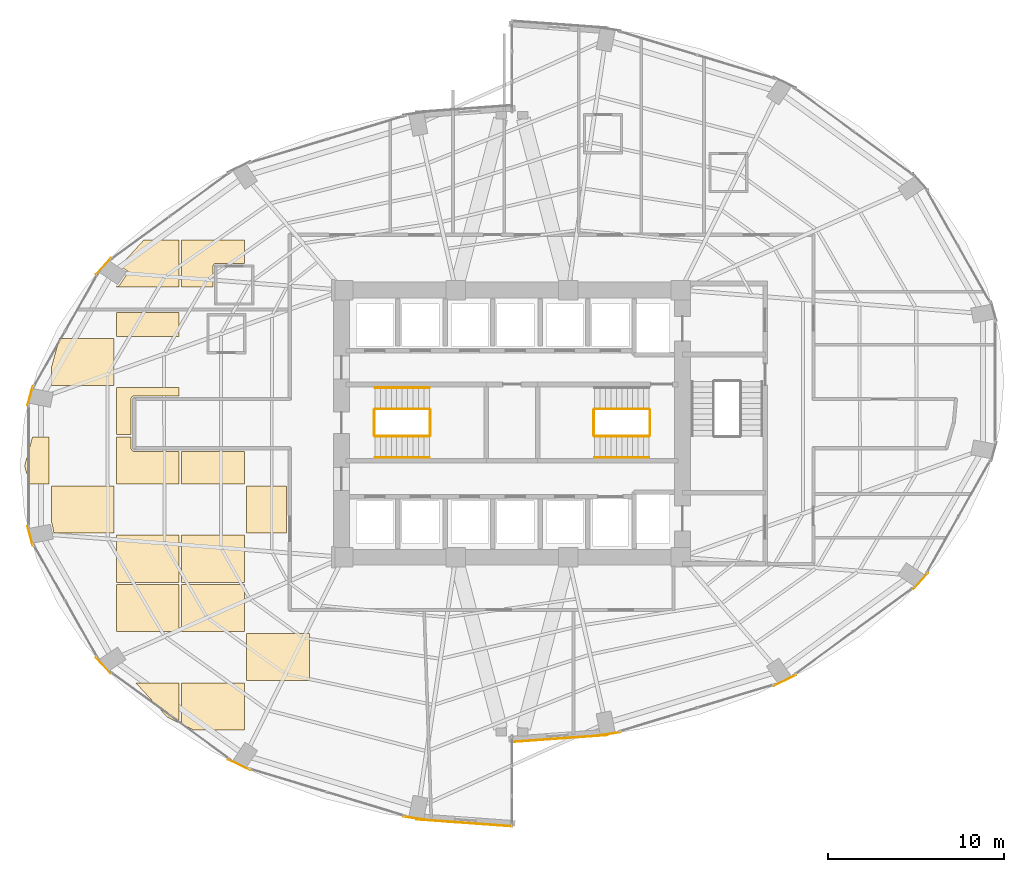
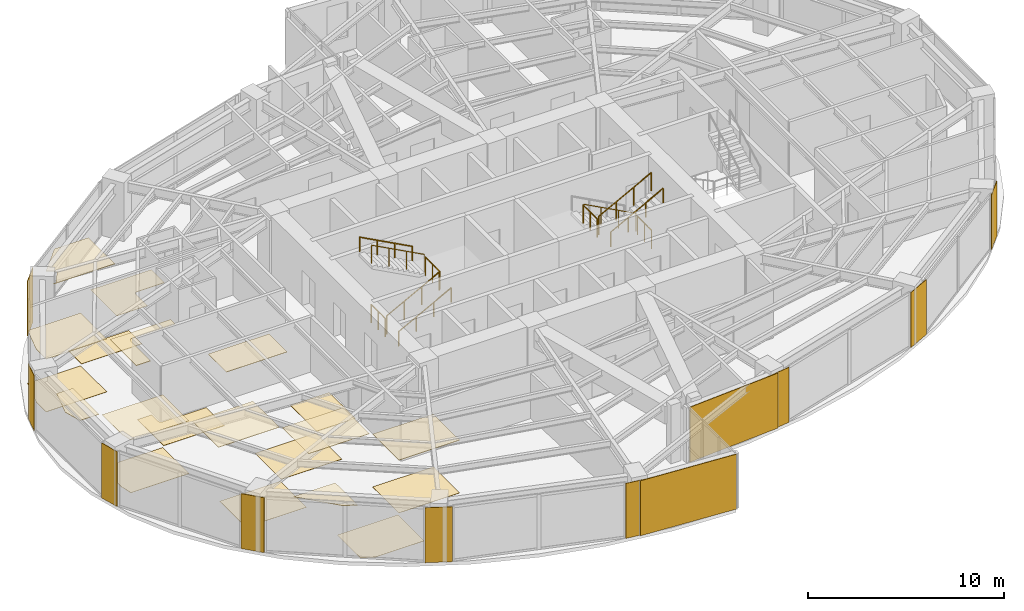
# One storey, part 24 of 25: 31 coverings, 11 railings.
"""IFC4 building model written with IfcOpenShell, lengths in metres."""

from ifc_helpers import new_model, si_unit, direction, frame, origin, origin_2d, place, context, subcontext, project, spatial, polyline, rectangle, circle, outline, extrude, material, layer, layer_set, type_object, element, save


model = new_model("IFC4")

# Units and contexts
model_context = context("Model", 3, precision=1e-05, world=origin(), true_north=direction((0.0, 1.0)))
body_context = subcontext(model_context, "Body", "Model", "MODEL_VIEW")
ifc_project = project(units=[si_unit("LENGTHUNIT", "METRE"), si_unit("AREAUNIT", "SQUARE_METRE"), si_unit("VOLUMEUNIT", "CUBIC_METRE"), si_unit("PLANEANGLEUNIT", "RADIAN"), si_unit("MASSUNIT", "GRAM", prefix="KILO")], contexts=[model_context])

# Site, building, storey
site_placement = place(None, origin())
site = spatial("IfcSite", under=ifc_project, at=site_placement, CompositionType="ELEMENT")
building_placement = place(site_placement, origin())
building = spatial("IfcBuilding", under=site, at=building_placement, Name="Lazwardi Medical Tower", CompositionType="ELEMENT")
storey_placement = place(building_placement, frame((0.0, 0.0, 50.736083984375)))
storey = spatial("IfcBuildingStorey", under=building, at=storey_placement, Name="L12", CompositionType="ELEMENT", Elevation=50.736083984375)

# Coverings
ifc_material_1 = material(Name="Anodised bronze aluminium cassette cladding", Category="aluminium")
ifc_layer_1 = layer(ifc_material_1, 0.030029296875)
ifc_layer_set_1 = layer_set([ifc_layer_1], Name="Anodised bronze aluminium cassette cladding")
covering_type_1 = type_object("IfcCoveringType", Name="COV-CLD-BRZ", PredefinedType="CLADDING", material=ifc_layer_set_1)
covering_1_placement = place(storey_placement, frame((41.454345703125, 10.33251953125, 0.0), z_axis=(0.0, 0.0, 1.0), x_axis=(0.98957259946, 0.144034962415, 0.0)))
element("IfcCovering", 1, at=covering_1_placement, inside=storey, type_object=covering_type_1, Name="L12 Mega-column bronze cassette cover M01", PredefinedType="CLADDING", context=body_context, shape_type="SweptSolid", body=[
    extrude(rectangle(XDim=1.49951171875, YDim=0.030029296875, at=origin_2d()), origin(), (0.0, 0.0, 1.0), 3.427978515625),
])
covering_2_placement = place(storey_placement, frame((51.532470703125, 13.3876953125, 0.0), z_axis=(0.0, 0.0, 1.0), x_axis=(0.898334492373, 0.439312121178, 0.0)))
element("IfcCovering", 2, at=covering_2_placement, inside=storey, type_object=covering_type_1, Name="L12 Mega-column bronze cassette cover M02", PredefinedType="CLADDING", context=body_context, shape_type="SweptSolid", body=[
    extrude(rectangle(XDim=1.400390625, YDim=0.030029296875, at=origin_2d()), origin(), (0.0, 0.0, 1.0), 3.427978515625),
])
for number, where, z_axis, x_axis, name in (
    (3, (59.24609375, 19.03271484375, 0.0), (0.0, 0.0, 1.0), (0.674252120961, 0.738501237223, 0.0), "L12 Mega-column bronze cassette cover M03"),
    (4, (12.75390625, 36.96728515625, 0.0), (0.0, 0.0, 1.0), (-0.674252120961, -0.738501237223, 0.0), "L12 Mega-column bronze cassette cover M11"),
):
    element("IfcCovering", number, at=place(storey_placement, frame(where, z_axis=z_axis, x_axis=x_axis)), inside=storey, type_object=covering_type_1, Name=name, PredefinedType="CLADDING", context=body_context, shape_type="SweptSolid", body=[
        extrude(rectangle(XDim=1.24658203125, YDim=0.030029296875, at=origin_2d()), origin(), (0.0, 0.0, 1.0), 3.427978515625),
    ])
for number, where, z_axis, x_axis, name in (
    (5, (8.579345703125, 29.591796875, 0.0), (0.0, 0.0, 1.0), (-0.262283496593, -0.964990863902, 0.0), "L12 Mega-column bronze cassette cover M12"),
    (6, (8.579345703125, 21.6083984375, 0.0), (0.0, 0.0, 1.0), (0.262283496593, -0.964990863902, 0.0), "L12 Mega-column bronze cassette cover M13"),
):
    element("IfcCovering", number, at=place(storey_placement, frame(where, z_axis=z_axis, x_axis=x_axis)), inside=storey, type_object=covering_type_1, Name=name, PredefinedType="CLADDING", context=body_context, shape_type="SweptSolid", body=[
        extrude(rectangle(XDim=1.12548828125, YDim=0.030029296875, at=origin_2d()), origin(), (0.0, 0.0, 1.0), 3.427978515625),
    ])
covering_3_placement = place(storey_placement, frame((12.75390625, 14.232666015625, 0.0), z_axis=(0.0, 0.0, 1.0), x_axis=(0.674252120961, -0.738501237223, 0.0)))
element("IfcCovering", 7, at=covering_3_placement, inside=storey, type_object=covering_type_1, Name="L12 Mega-column bronze cassette cover M14", PredefinedType="CLADDING", context=body_context, shape_type="SweptSolid", body=[
    extrude(rectangle(XDim=1.24658203125, YDim=0.030029296875, at=origin_2d()), origin(), (0.0, 0.0, 1.0), 3.427978515625),
])
covering_4_placement = place(storey_placement, frame((20.467529296875, 8.587646484375, 0.0), z_axis=(0.0, 0.0, 1.0), x_axis=(0.898334492373, -0.439312121178, 0.0)))
element("IfcCovering", 8, at=covering_4_placement, inside=storey, type_object=covering_type_1, Name="L12 Mega-column bronze cassette cover M15", PredefinedType="CLADDING", context=body_context, shape_type="SweptSolid", body=[
    extrude(rectangle(XDim=1.400390625, YDim=0.030029296875, at=origin_2d()), origin(), (0.0, 0.0, 1.0), 3.427978515625),
])
covering_5_placement = place(storey_placement, frame((30.545654296875, 5.53271484375, 0.0), z_axis=(0.0, 0.0, 1.0), x_axis=(0.98957259946, -0.144034962415, 0.0)))
element("IfcCovering", 9, at=covering_5_placement, inside=storey, type_object=covering_type_1, Name="L12 Mega-column bronze cassette cover M16", PredefinedType="CLADDING", context=body_context, shape_type="SweptSolid", body=[
    extrude(rectangle(XDim=1.49951171875, YDim=0.030029296875, at=origin_2d()), origin(), (0.0, 0.0, 1.0), 3.427978515625),
])
ifc_material_2 = material(Name="Turquoise glazed ceramic tilework cladding", Category="masonry")
ifc_layer_2 = layer(ifc_material_2, 0.034912109375)
ifc_layer_set_2 = layer_set([ifc_layer_2], Name="Turquoise glazed ceramic tilework cladding")
covering_type_2 = type_object("IfcCoveringType", Name="COV-CLD-TRQ", PredefinedType="CLADDING", material=ifc_layer_set_2)
covering_6_placement = place(storey_placement, frame((38.728271484375, 10.080322265625, 0.0), z_axis=(0.0, 0.0, 1.0), x_axis=(0.997421404513, 0.071767275412, 0.0)))
element("IfcCovering", 10, at=covering_6_placement, inside=storey, type_object=covering_type_2, Name="L12 Turquoise glazed ceramic tilework cladding", PredefinedType="CLADDING", context=body_context, shape_type="SweptSolid", body=[
    extrude(rectangle(XDim=5.4453125, YDim=0.034912109375, at=origin_2d()), origin(), (0.0, 0.0, 1.0), 3.427978515625),
])
covering_7_placement = place(storey_placement, frame((33.271484375, 5.280517578125, 0.0), z_axis=(0.0, 0.0, 1.0), x_axis=(0.997420903458, -0.071774238726, 0.0)))
element("IfcCovering", 11, at=covering_7_placement, inside=storey, type_object=covering_type_2, Name="L12 Turquoise glazed ceramic tilework cladding", PredefinedType="CLADDING", context=body_context, shape_type="SweptSolid", body=[
    extrude(rectangle(XDim=5.44482421875, YDim=0.034912109375, at=origin_2d()), origin(), (0.0, 0.0, 1.0), 3.427978515625),
])
ifc_material_3 = material(Name="Acoustic mineral fibre tile")
ifc_layer_3 = layer(ifc_material_3, 0.02490234375)
ifc_layer_set_3 = layer_set([ifc_layer_3], Name="Acoustic mineral fibre tile")
covering_type_3 = type_object("IfcCoveringType", Name="COV-CLG-01", PredefinedType="CEILING", material=ifc_layer_set_3)
covering_8_placement = place(storey_placement, frame((0.0, 0.0, 3.282958984375)))
element("IfcCovering", 12, at=covering_8_placement, inside=storey, type_object=covering_type_3, Name="L12 Clinical Acoustic Ceiling 1", PredefinedType="CEILING", context=body_context, shape_type="SweptSolid", body=[
    extrude(outline(polyline([(8.712890625, 27.25244140625), (8.262939453125, 25.60009765625), (8.542724609375, 24.572509765625), (9.662841796875, 24.572509765625), (9.662841796875, 27.25244140625), (8.712890625, 27.25244140625)])), origin(), (0.0, 0.0, 1.0), 0.02490234375),
])
covering_9_placement = place(storey_placement, frame((0.0, 0.0, 3.282958984375)))
element("IfcCovering", 13, at=covering_9_placement, inside=storey, type_object=covering_type_3, Name="L12 Clinical Acoustic Ceiling 2", PredefinedType="CEILING", context=body_context, shape_type="SweptSolid", body=[
    extrude(outline(polyline([(9.782958984375, 22.369873046875), (9.789306640625, 22.365966796875), (9.79541015625, 22.361328125), (9.801513671875, 22.356201171875), (9.806640625, 22.350341796875), (9.811279296875, 22.343994140625), (9.8154296875, 22.337158203125), (9.818603515625, 22.330078125), (9.8212890625, 22.32275390625), (9.8232421875, 22.315185546875), (9.93115234375, 21.7724609375), (13.36279296875, 21.7724609375), (13.36279296875, 24.452392578125), (9.782958984375, 24.452392578125), (9.782958984375, 22.369873046875)])), origin(), (0.0, 0.0, 1.0), 0.02490234375),
])
covering_10_placement = place(storey_placement, frame((0.0, 0.0, 3.282958984375)))
element("IfcCovering", 14, at=covering_10_placement, inside=storey, type_object=covering_type_3, Name="L12 Clinical Acoustic Ceiling 3", PredefinedType="CEILING", context=body_context, shape_type="SweptSolid", body=[
    extrude(outline(polyline([(10.238037109375, 32.8525390625), (9.782958984375, 31.181396484375), (9.782958984375, 30.172607421875), (13.36279296875, 30.172607421875), (13.36279296875, 32.8525390625), (10.238037109375, 32.8525390625)])), origin(), (0.0, 0.0, 1.0), 0.02490234375),
])
covering_11_placement = place(storey_placement, frame((0.0, 0.0, 3.282958984375)))
element("IfcCovering", 15, at=covering_11_placement, inside=storey, type_object=covering_type_3, Name="L12 Clinical Acoustic Ceiling 4", PredefinedType="CEILING", context=body_context, shape_type="SweptSolid", body=[
    extrude(outline(polyline([(14.587890625, 13.25244140625), (16.377197265625, 11.296875), (17.06298828125, 10.962158203125), (17.06298828125, 13.25244140625), (14.587890625, 13.25244140625)])), origin(), (0.0, 0.0, 1.0), 0.02490234375),
])
covering_12_placement = place(storey_placement, frame((0.0, 0.0, 3.282958984375)))
element("IfcCovering", 16, at=covering_12_placement, inside=storey, type_object=covering_type_3, Name="L12 Clinical Acoustic Ceiling 5", PredefinedType="CEILING", context=body_context, shape_type="SweptSolid", body=[
    extrude(outline(polyline([(17.06298828125, 18.972412109375), (17.06298828125, 21.652587890625), (13.48291015625, 21.652587890625), (13.48291015625, 18.972412109375), (17.06298828125, 18.972412109375)])), origin(), (0.0, 0.0, 1.0), 0.02490234375),
])
covering_13_placement = place(storey_placement, frame((0.0, 0.0, 3.282958984375)))
element("IfcCovering", 17, at=covering_13_placement, inside=storey, type_object=covering_type_3, Name="L12 Clinical Acoustic Ceiling 6", PredefinedType="CEILING", context=body_context, shape_type="SweptSolid", body=[
    extrude(outline(polyline([(14.324951171875, 27.37255859375), (14.324951171875, 29.39990234375), (14.3251953125, 29.404296875), (14.32568359375, 29.41357421875), (14.326416015625, 29.42041015625), (14.32763671875, 29.4296875), (14.3291015625, 29.43798828125), (14.33154296875, 29.447265625), (14.33349609375, 29.4541015625), (14.336669921875, 29.462890625), (14.340087890625, 29.470703125), (14.343994140625, 29.479248046875), (14.34765625, 29.486083984375), (14.352294921875, 29.493896484375), (14.35693359375, 29.500732421875), (14.362548828125, 29.50830078125), (14.3671875, 29.513916015625), (14.373291015625, 29.520751953125), (14.37939453125, 29.526611328125), (14.38623046875, 29.532958984375), (14.391845703125, 29.53759765625), (14.3994140625, 29.543212890625), (14.406005859375, 29.547607421875), (14.4140625, 29.552490234375), (14.4208984375, 29.555908203125), (14.42919921875, 29.56005859375), (14.43701171875, 29.563232421875), (14.44580078125, 29.56640625), (14.452880859375, 29.568603515625), (14.4619140625, 29.57080078125), (14.47021484375, 29.572509765625), (14.4794921875, 29.57373046875), (14.486328125, 29.574462890625), (14.49560546875, 29.574951171875), (14.5, 29.574951171875), (17.06298828125, 29.574951171875), (17.06298828125, 30.052490234375), (13.48291015625, 30.052490234375), (13.48291015625, 27.37255859375), (14.324951171875, 27.37255859375)])), origin(), (0.0, 0.0, 1.0), 0.02490234375),
])
covering_14_placement = place(storey_placement, frame((0.0, 0.0, 3.282958984375)))
element("IfcCovering", 18, at=covering_14_placement, inside=storey, type_object=covering_type_3, Name="L12 Clinical Acoustic Ceiling 7", PredefinedType="CEILING", context=body_context, shape_type="SweptSolid", body=[
    extrude(outline(polyline([(15.0498046875, 38.452392578125), (13.69677734375, 36.97314453125), (14.11083984375, 36.696533203125), (14.1171875, 36.69189453125), (14.123046875, 36.6865234375), (14.128173828125, 36.6806640625), (14.1328125, 36.67431640625), (14.136962890625, 36.667724609375), (14.140380859375, 36.66064453125), (14.14306640625, 36.6533203125), (14.14501953125, 36.6455078125), (14.14599609375, 36.6376953125), (14.146484375, 36.6298828125), (14.14599609375, 36.622314453125), (14.14501953125, 36.614501953125), (14.14306640625, 36.606689453125), (14.140380859375, 36.599365234375), (14.136962890625, 36.59228515625), (14.1328125, 36.585693359375), (13.6328125, 35.83740234375), (13.628173828125, 35.830810546875), (13.623046875, 35.8251953125), (13.6171875, 35.81982421875), (13.61083984375, 35.815185546875), (13.60400390625, 35.81103515625), (13.596923828125, 35.807861328125), (13.589599609375, 35.80517578125), (13.58203125, 35.80322265625), (13.57421875, 35.802001953125), (13.56640625, 35.8017578125), (13.55859375, 35.802001953125), (13.55078125, 35.80322265625), (13.543212890625, 35.80517578125), (13.535888671875, 35.807861328125), (13.52880859375, 35.81103515625), (13.52197265625, 35.815185546875), (13.48291015625, 35.84130859375), (13.48291015625, 35.7724609375), (17.06298828125, 35.7724609375), (17.06298828125, 38.452392578125), (15.0498046875, 38.452392578125)])), origin(), (0.0, 0.0, 1.0), 0.02490234375),
])
covering_15_placement = place(storey_placement, frame((0.0, 0.0, 3.282958984375)))
element("IfcCovering", 19, at=covering_15_placement, inside=storey, type_object=covering_type_3, Name="L12 Clinical Acoustic Ceiling 8", PredefinedType="CEILING", context=body_context, shape_type="SweptSolid", body=[
    extrude(outline(polyline([(20.762939453125, 16.172607421875), (20.762939453125, 18.8525390625), (17.182861328125, 18.8525390625), (17.182861328125, 16.172607421875), (20.762939453125, 16.172607421875)])), origin(), (0.0, 0.0, 1.0), 0.02490234375),
])
covering_16_placement = place(storey_placement, frame((0.0, 0.0, 3.282958984375)))
element("IfcCovering", 20, at=covering_16_placement, inside=storey, type_object=covering_type_3, Name="L12 Clinical Acoustic Ceiling 9", PredefinedType="CEILING", context=body_context, shape_type="SweptSolid", body=[
    extrude(outline(polyline([(20.762939453125, 26.425048828125), (17.182861328125, 26.425048828125), (17.182861328125, 24.572509765625), (20.762939453125, 24.572509765625), (20.762939453125, 26.425048828125)])), origin(), (0.0, 0.0, 1.0), 0.02490234375),
])
covering_17_placement = place(storey_placement, frame((0.0, 0.0, 3.282958984375)))
element("IfcCovering", 21, at=covering_17_placement, inside=storey, type_object=covering_type_3, Name="L12 Clinical Acoustic Ceiling 10", PredefinedType="CEILING", context=body_context, shape_type="SweptSolid", body=[
    extrude(outline(polyline([(24.462890625, 13.37255859375), (24.462890625, 16.052490234375), (20.8828125, 16.052490234375), (20.8828125, 13.37255859375), (24.462890625, 13.37255859375)])), origin(), (0.0, 0.0, 1.0), 0.02490234375),
])
ifc_material_4 = material(Name="Anti-static hospital vinyl sheet flooring")
ifc_layer_4 = layer(ifc_material_4, 0.014892578125)
ifc_layer_set_4 = layer_set([ifc_layer_4], Name="Anti-static hospital vinyl sheet flooring")
covering_type_4 = type_object("IfcCoveringType", Name="COV-FLR-01", PredefinedType="FLOORING", material=ifc_layer_set_4)
covering_18_placement = place(storey_placement, origin())
element("IfcCovering", 22, at=covering_18_placement, inside=storey, type_object=covering_type_4, Name="L12 Clinical Vinyl Flooring 1", PredefinedType="FLOORING", context=body_context, shape_type="SweptSolid", body=[
    extrude(outline(polyline([(9.782958984375, 22.369873046875), (9.789306640625, 22.365966796875), (9.79541015625, 22.361328125), (9.801513671875, 22.356201171875), (9.806640625, 22.350341796875), (9.811279296875, 22.343994140625), (9.8154296875, 22.337158203125), (9.818603515625, 22.330078125), (9.8212890625, 22.32275390625), (9.8232421875, 22.315185546875), (9.93115234375, 21.7724609375), (13.36279296875, 21.7724609375), (13.36279296875, 24.452392578125), (9.782958984375, 24.452392578125), (9.782958984375, 22.369873046875)])), origin(), (0.0, 0.0, 1.0), 0.014892578125),
])
covering_19_placement = place(storey_placement, origin())
element("IfcCovering", 23, at=covering_19_placement, inside=storey, type_object=covering_type_4, Name="L12 Clinical Vinyl Flooring 2", PredefinedType="FLOORING", context=body_context, shape_type="SweptSolid", body=[
    extrude(outline(polyline([(10.238037109375, 32.8525390625), (9.782958984375, 31.181396484375), (9.782958984375, 30.172607421875), (13.36279296875, 30.172607421875), (13.36279296875, 32.8525390625), (10.238037109375, 32.8525390625)])), origin(), (0.0, 0.0, 1.0), 0.014892578125),
])
covering_20_placement = place(storey_placement, origin())
element("IfcCovering", 24, at=covering_20_placement, inside=storey, type_object=covering_type_4, Name="L12 Clinical Vinyl Flooring 3", PredefinedType="FLOORING", context=body_context, shape_type="SweptSolid", body=[
    extrude(outline(polyline([(17.06298828125, 16.172607421875), (17.06298828125, 18.8525390625), (13.48291015625, 18.8525390625), (13.48291015625, 16.172607421875), (17.06298828125, 16.172607421875)])), origin(), (0.0, 0.0, 1.0), 0.014892578125),
])
covering_21_placement = place(storey_placement, origin())
element("IfcCovering", 25, at=covering_21_placement, inside=storey, type_object=covering_type_4, Name="L12 Clinical Vinyl Flooring 4", PredefinedType="FLOORING", context=body_context, shape_type="SweptSolid", body=[
    extrude(outline(polyline([(17.06298828125, 26.425048828125), (14.5, 26.425048828125), (14.49560546875, 26.425048828125), (14.486328125, 26.425537109375), (14.4794921875, 26.42626953125), (14.47021484375, 26.427490234375), (14.4619140625, 26.42919921875), (14.452880859375, 26.431396484375), (14.44580078125, 26.43359375), (14.43701171875, 26.436767578125), (14.42919921875, 26.43994140625), (14.4208984375, 26.444091796875), (14.4140625, 26.447509765625), (14.406005859375, 26.452392578125), (14.3994140625, 26.456787109375), (14.391845703125, 26.46240234375), (14.38623046875, 26.467041015625), (14.37939453125, 26.473388671875), (14.373291015625, 26.479248046875), (14.3671875, 26.486083984375), (14.362548828125, 26.49169921875), (14.35693359375, 26.499267578125), (14.352294921875, 26.506103515625), (14.34765625, 26.513916015625), (14.343994140625, 26.520751953125), (14.340087890625, 26.529296875), (14.336669921875, 26.537109375), (14.33349609375, 26.5458984375), (14.33154296875, 26.552734375), (14.3291015625, 26.56201171875), (14.32763671875, 26.5703125), (14.326416015625, 26.57958984375), (14.32568359375, 26.58642578125), (14.3251953125, 26.595703125), (14.324951171875, 26.60009765625), (14.324951171875, 27.25244140625), (13.48291015625, 27.25244140625), (13.48291015625, 24.572509765625), (17.06298828125, 24.572509765625), (17.06298828125, 26.425048828125)])), origin(), (0.0, 0.0, 1.0), 0.014892578125),
])
covering_22_placement = place(storey_placement, origin())
element("IfcCovering", 26, at=covering_22_placement, inside=storey, type_object=covering_type_4, Name="L12 Clinical Vinyl Flooring 5", PredefinedType="FLOORING", context=body_context, shape_type="SweptSolid", body=[
    extrude(outline(polyline([(17.06298828125, 34.3349609375), (13.48291015625, 34.3349609375), (13.48291015625, 32.972412109375), (17.06298828125, 32.972412109375), (17.06298828125, 34.3349609375)])), origin(), (0.0, 0.0, 1.0), 0.014892578125),
])
covering_23_placement = place(storey_placement, origin())
element("IfcCovering", 27, at=covering_23_placement, inside=storey, type_object=covering_type_4, Name="L12 Clinical Vinyl Flooring 6", PredefinedType="FLOORING", context=body_context, shape_type="SweptSolid", body=[
    extrude(outline(polyline([(17.182861328125, 10.903564453125), (17.861083984375, 10.572509765625), (20.762939453125, 10.572509765625), (20.762939453125, 13.25244140625), (17.182861328125, 13.25244140625), (17.182861328125, 10.903564453125)])), origin(), (0.0, 0.0, 1.0), 0.014892578125),
])
covering_24_placement = place(storey_placement, origin())
element("IfcCovering", 28, at=covering_24_placement, inside=storey, type_object=covering_type_4, Name="L12 Clinical Vinyl Flooring 7", PredefinedType="FLOORING", context=body_context, shape_type="SweptSolid", body=[
    extrude(outline(polyline([(20.762939453125, 18.972412109375), (20.762939453125, 21.652587890625), (17.182861328125, 21.652587890625), (17.182861328125, 18.972412109375), (20.762939453125, 18.972412109375)])), origin(), (0.0, 0.0, 1.0), 0.014892578125),
])
covering_25_placement = place(storey_placement, origin())
element("IfcCovering", 29, at=covering_25_placement, inside=storey, type_object=covering_type_4, Name="L12 Clinical Vinyl Flooring 8", PredefinedType="FLOORING", context=body_context, shape_type="SweptSolid", body=[
    extrude(outline(polyline([(18.994384765625, 35.7724609375), (18.994384765625, 36.965087890625), (18.994384765625, 36.968505859375), (18.99462890625, 36.975341796875), (18.99560546875, 36.9833984375), (18.99658203125, 36.990234375), (18.998046875, 36.998779296875), (18.999755859375, 37.00537109375), (19.001953125, 37.011962890625), (19.004150390625, 37.0185546875), (19.007568359375, 37.026611328125), (19.010498046875, 37.03271484375), (19.013916015625, 37.038818359375), (19.017333984375, 37.044677734375), (19.02197265625, 37.0517578125), (19.026123046875, 37.05712890625), (19.03076171875, 37.06298828125), (19.035400390625, 37.068115234375), (19.041259765625, 37.073974609375), (19.04638671875, 37.07861328125), (19.052001953125, 37.083251953125), (19.0576171875, 37.08740234375), (19.064697265625, 37.092041015625), (19.070556640625, 37.095458984375), (19.076416015625, 37.0986328125), (19.082763671875, 37.101806640625), (19.0908203125, 37.10498046875), (19.097412109375, 37.107421875), (19.10400390625, 37.109619140625), (19.110595703125, 37.111083984375), (19.118896484375, 37.11279296875), (19.125732421875, 37.11376953125), (19.1337890625, 37.114501953125), (19.140869140625, 37.114990234375), (19.144287109375, 37.114990234375), (20.762939453125, 37.114990234375), (20.762939453125, 38.452392578125), (17.182861328125, 38.452392578125), (17.182861328125, 35.7724609375), (18.994384765625, 35.7724609375)])), origin(), (0.0, 0.0, 1.0), 0.014892578125),
])
covering_26_placement = place(storey_placement, origin())
element("IfcCovering", 30, at=covering_26_placement, inside=storey, type_object=covering_type_4, Name="L12 Clinical Vinyl Flooring 9", PredefinedType="FLOORING", context=body_context, shape_type="SweptSolid", body=[
    extrude(outline(polyline([(24.462890625, 13.37255859375), (24.462890625, 16.052490234375), (20.8828125, 16.052490234375), (20.8828125, 13.37255859375), (24.462890625, 13.37255859375)])), origin(), (0.0, 0.0, 1.0), 0.014892578125),
])
covering_27_placement = place(storey_placement, origin())
element("IfcCovering", 31, at=covering_27_placement, inside=storey, type_object=covering_type_4, Name="L12 Clinical Vinyl Flooring 10", PredefinedType="FLOORING", context=body_context, shape_type="SweptSolid", body=[
    extrude(outline(polyline([(23.175048828125, 21.7724609375), (23.175048828125, 24.452392578125), (20.8828125, 24.452392578125), (20.8828125, 21.7724609375), (23.175048828125, 21.7724609375)])), origin(), (0.0, 0.0, 1.0), 0.014892578125),
])

# Railings
ifc_material_5 = material(Name="Stainless steel Grade 316", Category="steel")
railing_type_1 = type_object("IfcRailingType", Name="RLG-GRD-1150", PredefinedType="GUARDRAIL", material=ifc_material_5)
railing_1_placement = place(storey_placement, frame((28.199951171875, 27.2900390625, 0.165771484375)))
element("IfcRailing", 32, at=railing_1_placement, inside=storey, type_object=railing_type_1, Name="L12 ST1 stair guard 1", PredefinedType="GUARDRAIL", context=body_context, shape_type="SweptSolid", body=[
    extrude(circle(Radius=0.02392578125, at=origin_2d()), frame((0.0, 0.0, 1.1259765625), z_axis=(0.881783298633, 0.0, 0.471654761719), x_axis=(0.0, 1.0, 0.0)), (0.0, 0.0, 1.0), 3.515625),
    extrude(circle(Radius=0.02099609375, at=origin_2d()), origin(), (0.0, 0.0, 1.0), 1.099853515625),
    extrude(circle(Radius=0.02099609375, at=origin_2d()), frame((1.033447265625, 0.0, 0.552734375)), (0.0, 0.0, 1.0), 1.099853515625),
    extrude(circle(Radius=0.02099609375, at=origin_2d()), frame((2.066650390625, 0.0, 1.10546875)), (0.0, 0.0, 1.0), 1.099853515625),
    extrude(circle(Radius=0.02099609375, at=origin_2d()), frame((3.10009765625, 0.0, 1.658203125)), (0.0, 0.0, 1.0), 1.099853515625),
])
railing_2_placement = place(storey_placement, frame((31.35009765625, 27.340087890625, 1.823974609375)))
element("IfcRailing", 33, at=railing_2_placement, inside=storey, type_object=railing_type_1, Name="L12 ST1 stair guard 2", PredefinedType="GUARDRAIL", context=body_context, shape_type="SweptSolid", body=[
    extrude(circle(Radius=0.02392578125, at=origin_2d()), frame((0.0, 0.0, 1.1259765625), z_axis=(0.0, 1.0, 0.0), x_axis=(-1.0, 0.0, 0.0)), (0.0, 0.0, 1.0), 1.43994140625),
    extrude(circle(Radius=0.02099609375, at=origin_2d()), origin(), (0.0, 0.0, 1.0), 1.099853515625),
    extrude(circle(Radius=0.02099609375, at=origin_2d()), frame((0.0, 0.719970703125, 0.0)), (0.0, 0.0, 1.0), 1.099853515625),
    extrude(circle(Radius=0.02099609375, at=origin_2d()), frame((0.0, 1.43994140625, 0.0)), (0.0, 0.0, 1.0), 1.099853515625),
])
railing_3_placement = place(storey_placement, frame((31.300048828125, 28.830078125, 1.98974609375)))
element("IfcRailing", 34, at=railing_3_placement, inside=storey, type_object=railing_type_1, Name="L12 ST1 stair guard 3", PredefinedType="GUARDRAIL", context=body_context, shape_type="SweptSolid", body=[
    extrude(circle(Radius=0.02392578125, at=origin_2d()), frame((0.0, 0.0, 1.1259765625), z_axis=(-0.881783298633, 0.0, 0.471654761719), x_axis=(0.0, -1.0, 0.0)), (0.0, 0.0, 1.0), 3.515625),
    extrude(circle(Radius=0.02099609375, at=origin_2d()), origin(), (0.0, 0.0, 1.0), 1.099853515625),
    extrude(circle(Radius=0.02099609375, at=origin_2d()), frame((-1.033447265625, 0.0, 0.552734375)), (0.0, 0.0, 1.0), 1.099853515625),
    extrude(circle(Radius=0.02099609375, at=origin_2d()), frame((-2.066650390625, 0.0, 1.10546875)), (0.0, 0.0, 1.0), 1.099853515625),
    extrude(circle(Radius=0.02099609375, at=origin_2d()), frame((-3.10009765625, 0.0, 1.658203125)), (0.0, 0.0, 1.0), 1.099853515625),
])
railing_4_placement = place(storey_placement, frame((28.14990234375, 27.340087890625, 0.0)))
element("IfcRailing", 35, at=railing_4_placement, inside=storey, type_object=railing_type_1, Name="L12 ST1 stair guard 4", PredefinedType="GUARDRAIL", context=body_context, shape_type="SweptSolid", body=[
    extrude(circle(Radius=0.02392578125, at=origin_2d()), frame((0.0, 0.0, 1.1259765625), z_axis=(0.0, 1.0, 0.0), x_axis=(-1.0, 0.0, 0.0)), (0.0, 0.0, 1.0), 1.43994140625),
    extrude(circle(Radius=0.02099609375, at=origin_2d()), origin(), (0.0, 0.0, 1.0), 1.099853515625),
    extrude(circle(Radius=0.02099609375, at=origin_2d()), frame((0.0, 0.719970703125, 0.0)), (0.0, 0.0, 1.0), 1.099853515625),
    extrude(circle(Radius=0.02099609375, at=origin_2d()), frame((0.0, 1.43994140625, 0.0)), (0.0, 0.0, 1.0), 1.099853515625),
])
railing_5_placement = place(storey_placement, frame((43.800048828125, 28.830078125, 0.165771484375)))
element("IfcRailing", 36, at=railing_5_placement, inside=storey, type_object=railing_type_1, Name="L12 ST2 stair guard 1", PredefinedType="GUARDRAIL", context=body_context, shape_type="SweptSolid", body=[
    extrude(circle(Radius=0.02392578125, at=origin_2d()), frame((0.0, 0.0, 1.1259765625), z_axis=(-0.881783298633, 0.0, 0.471654761719), x_axis=(0.0, -1.0, 0.0)), (0.0, 0.0, 1.0), 3.515625),
    extrude(circle(Radius=0.02099609375, at=origin_2d()), origin(), (0.0, 0.0, 1.0), 1.099853515625),
    extrude(circle(Radius=0.02099609375, at=origin_2d()), frame((-1.033447265625, 0.0, 0.552734375)), (0.0, 0.0, 1.0), 1.099853515625),
    extrude(circle(Radius=0.02099609375, at=origin_2d()), frame((-2.066650390625, 0.0, 1.10546875)), (0.0, 0.0, 1.0), 1.099853515625),
    extrude(circle(Radius=0.02099609375, at=origin_2d()), frame((-3.10009765625, 0.0, 1.658203125)), (0.0, 0.0, 1.0), 1.099853515625),
])
railing_6_placement = place(storey_placement, frame((40.64990234375, 28.780029296875, 1.823974609375)))
element("IfcRailing", 37, at=railing_6_placement, inside=storey, type_object=railing_type_1, Name="L12 ST2 stair guard 2", PredefinedType="GUARDRAIL", context=body_context, shape_type="SweptSolid", body=[
    extrude(circle(Radius=0.02392578125, at=origin_2d()), frame((0.0, 0.0, 1.1259765625), z_axis=(0.0, -1.0, 0.0), x_axis=(1.0, 0.0, 0.0)), (0.0, 0.0, 1.0), 1.43994140625),
    extrude(circle(Radius=0.02099609375, at=origin_2d()), origin(), (0.0, 0.0, 1.0), 1.099853515625),
    extrude(circle(Radius=0.02099609375, at=origin_2d()), frame((0.0, -0.719970703125, 0.0)), (0.0, 0.0, 1.0), 1.099853515625),
    extrude(circle(Radius=0.02099609375, at=origin_2d()), frame((0.0, -1.43994140625, 0.0)), (0.0, 0.0, 1.0), 1.099853515625),
])
railing_7_placement = place(storey_placement, frame((40.699951171875, 27.2900390625, 1.98974609375)))
element("IfcRailing", 38, at=railing_7_placement, inside=storey, type_object=railing_type_1, Name="L12 ST2 stair guard 3", PredefinedType="GUARDRAIL", context=body_context, shape_type="SweptSolid", body=[
    extrude(circle(Radius=0.02392578125, at=origin_2d()), frame((0.0, 0.0, 1.1259765625), z_axis=(0.881783298633, 0.0, 0.471654761719), x_axis=(0.0, 1.0, 0.0)), (0.0, 0.0, 1.0), 3.515625),
    extrude(circle(Radius=0.02099609375, at=origin_2d()), origin(), (0.0, 0.0, 1.0), 1.099853515625),
    extrude(circle(Radius=0.02099609375, at=origin_2d()), frame((1.033447265625, 0.0, 0.552734375)), (0.0, 0.0, 1.0), 1.099853515625),
    extrude(circle(Radius=0.02099609375, at=origin_2d()), frame((2.066650390625, 0.0, 1.10546875)), (0.0, 0.0, 1.0), 1.099853515625),
    extrude(circle(Radius=0.02099609375, at=origin_2d()), frame((3.10009765625, 0.0, 1.658203125)), (0.0, 0.0, 1.0), 1.099853515625),
])
railing_8_placement = place(storey_placement, frame((43.85009765625, 28.780029296875, 0.0)))
element("IfcRailing", 39, at=railing_8_placement, inside=storey, type_object=railing_type_1, Name="L12 ST2 stair guard 4", PredefinedType="GUARDRAIL", context=body_context, shape_type="SweptSolid", body=[
    extrude(circle(Radius=0.02392578125, at=origin_2d()), frame((0.0, 0.0, 1.1259765625), z_axis=(0.0, -1.0, 0.0), x_axis=(1.0, 0.0, 0.0)), (0.0, 0.0, 1.0), 1.43994140625),
    extrude(circle(Radius=0.02099609375, at=origin_2d()), origin(), (0.0, 0.0, 1.0), 1.099853515625),
    extrude(circle(Radius=0.02099609375, at=origin_2d()), frame((0.0, -0.719970703125, 0.0)), (0.0, 0.0, 1.0), 1.099853515625),
    extrude(circle(Radius=0.02099609375, at=origin_2d()), frame((0.0, -1.43994140625, 0.0)), (0.0, 0.0, 1.0), 1.099853515625),
])
railing_type_2 = type_object("IfcRailingType", Name="RLG-HND-920", PredefinedType="HANDRAIL", material=ifc_material_5)
railing_9_placement = place(storey_placement, frame((28.199951171875, 26.070068359375, 0.165771484375)))
element("IfcRailing", 40, at=railing_9_placement, inside=storey, type_object=railing_type_2, Name="L12 ST1 stair handrail 1", PredefinedType="HANDRAIL", context=body_context, shape_type="SweptSolid", body=[
    extrude(circle(Radius=0.02392578125, at=origin_2d()), frame((0.0, 0.0, 0.8857421875), z_axis=(0.881783298633, 0.0, 0.471654761719), x_axis=(0.0, 1.0, 0.0)), (0.0, 0.0, 1.0), 3.515625),
    extrude(circle(Radius=0.02099609375, at=origin_2d()), origin(), (0.0, 0.0, 1.0), 0.85986328125),
    extrude(circle(Radius=0.02099609375, at=origin_2d()), frame((1.033447265625, 0.0, 0.552734375)), (0.0, 0.0, 1.0), 0.85986328125),
    extrude(circle(Radius=0.02099609375, at=origin_2d()), frame((2.066650390625, 0.0, 1.10546875)), (0.0, 0.0, 1.0), 0.85986328125),
    extrude(circle(Radius=0.02099609375, at=origin_2d()), frame((3.10009765625, 0.0, 1.658203125)), (0.0, 0.0, 1.0), 0.85986328125),
])
railing_10_placement = place(storey_placement, frame((31.300048828125, 30.050048828125, 1.98974609375)))
element("IfcRailing", 41, at=railing_10_placement, inside=storey, type_object=railing_type_2, Name="L12 ST1 stair handrail 2", PredefinedType="HANDRAIL", context=body_context, shape_type="SweptSolid", body=[
    extrude(circle(Radius=0.02392578125, at=origin_2d()), frame((0.0, 0.0, 0.8857421875), z_axis=(-0.881783298633, 0.0, 0.471654761719), x_axis=(0.0, -1.0, 0.0)), (0.0, 0.0, 1.0), 3.515625),
    extrude(circle(Radius=0.02099609375, at=origin_2d()), origin(), (0.0, 0.0, 1.0), 0.85986328125),
    extrude(circle(Radius=0.02099609375, at=origin_2d()), frame((-1.033447265625, 0.0, 0.552734375)), (0.0, 0.0, 1.0), 0.85986328125),
    extrude(circle(Radius=0.02099609375, at=origin_2d()), frame((-2.066650390625, 0.0, 1.10546875)), (0.0, 0.0, 1.0), 0.85986328125),
    extrude(circle(Radius=0.02099609375, at=origin_2d()), frame((-3.10009765625, 0.0, 1.658203125)), (0.0, 0.0, 1.0), 0.85986328125),
])
railing_11_placement = place(storey_placement, frame((40.699951171875, 26.070068359375, 1.98974609375)))
element("IfcRailing", 42, at=railing_11_placement, inside=storey, type_object=railing_type_2, Name="L12 ST2 stair handrail 2", PredefinedType="HANDRAIL", context=body_context, shape_type="SweptSolid", body=[
    extrude(circle(Radius=0.02392578125, at=origin_2d()), frame((0.0, 0.0, 0.8857421875), z_axis=(0.881783298633, 0.0, 0.471654761719), x_axis=(0.0, 1.0, 0.0)), (0.0, 0.0, 1.0), 3.515625),
    extrude(circle(Radius=0.02099609375, at=origin_2d()), origin(), (0.0, 0.0, 1.0), 0.85986328125),
    extrude(circle(Radius=0.02099609375, at=origin_2d()), frame((1.033447265625, 0.0, 0.552734375)), (0.0, 0.0, 1.0), 0.85986328125),
    extrude(circle(Radius=0.02099609375, at=origin_2d()), frame((2.066650390625, 0.0, 1.10546875)), (0.0, 0.0, 1.0), 0.85986328125),
    extrude(circle(Radius=0.02099609375, at=origin_2d()), frame((3.10009765625, 0.0, 1.658203125)), (0.0, 0.0, 1.0), 0.85986328125),
])

save(model, "model.ifc")
